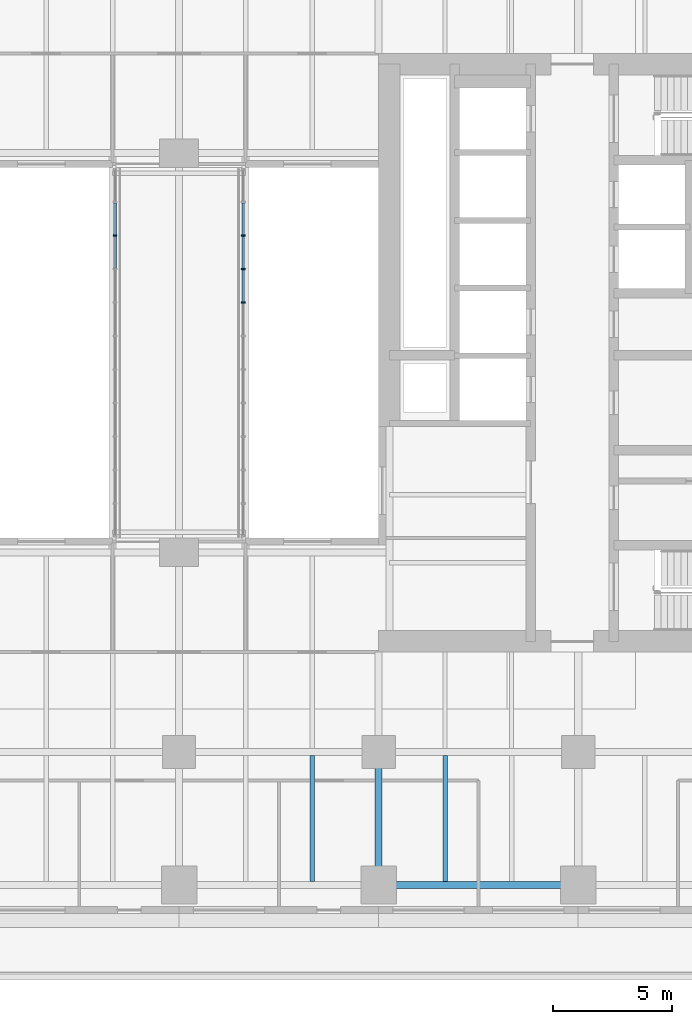
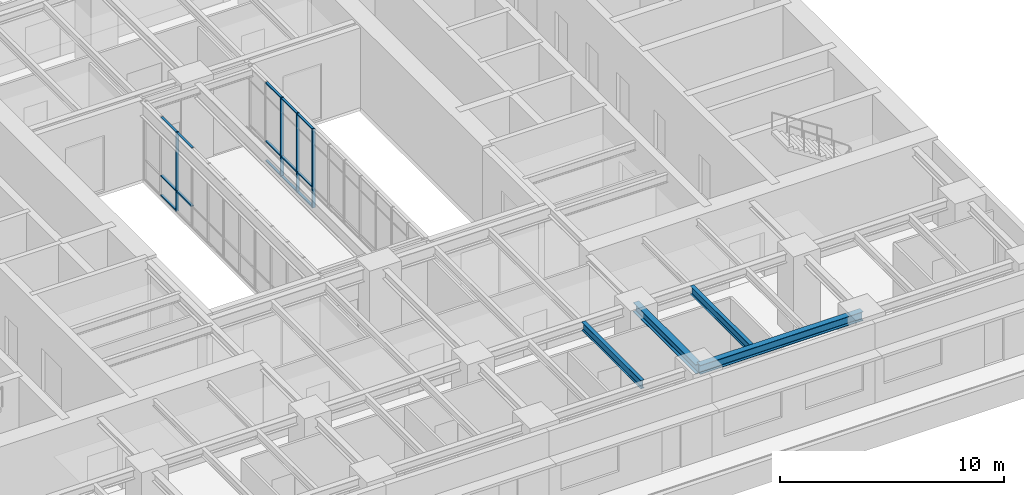
# One storey, part 3 of 17: 18 members, 4 beams, 2 elements without a shape of their own.
"""IFC4 building model written with IfcOpenShell, lengths in metres."""

from ifc_helpers import new_model, si_unit, direction, frame, origin, origin_2d, place, context, subcontext, project, spatial, rectangle, i_section, extrude, material, material_profile, profile_set, type_object, element, aggregate, save


model = new_model("IFC4")

# Units and contexts
model_context = context("Model", 3, precision=1e-05, world=origin(), true_north=direction((0.0, 1.0)))
body_context = subcontext(model_context, "Body", "Model", "MODEL_VIEW")
ifc_project = project(units=[si_unit("LENGTHUNIT", "METRE"), si_unit("AREAUNIT", "SQUARE_METRE"), si_unit("VOLUMEUNIT", "CUBIC_METRE"), si_unit("PLANEANGLEUNIT", "RADIAN"), si_unit("MASSUNIT", "GRAM", prefix="KILO")], contexts=[model_context])

# Site, building, storey
site_placement = place(None, origin())
site = spatial("IfcSite", under=ifc_project, at=site_placement, CompositionType="ELEMENT")
building_placement = place(site_placement, origin())
building = spatial("IfcBuilding", under=site, at=building_placement, Name="Claustro Exchange Tower", CompositionType="ELEMENT")
storey_placement = place(building_placement, frame((0.0, 0.0, 96.300048828125)))
storey = spatial("IfcBuildingStorey", under=building, at=storey_placement, Name="L21", CompositionType="ELEMENT", Elevation=96.300048828125)

# Beams
ifc_material_1 = material(Name="Steel S355", Category="steel")
ifc_material_profile_1 = material_profile(ifc_material_1, i_section(OverallWidth=0.300048828125, OverallDepth=0.5, WebThickness=0.014404296875, FlangeThickness=0.028076171875, FilletRadius=0.027099609375, at=origin_2d()), Name="HE 500 B")
ifc_profile_set_1 = profile_set([ifc_material_profile_1], Name="Steel S355")
beam_type_1 = type_object("IfcBeamType", Name="B7 HE 500 B floor girder", PredefinedType="BEAM", material=ifc_profile_set_1)
beam_1_placement = place(storey_placement, frame((33.60009765625, 2.800048828125, 4.099853515625), z_axis=(0.0, 1.0, 0.0), x_axis=(-1.0, 0.0, 0.0)))
element("IfcBeam", 1, at=beam_1_placement, inside=storey, type_object=beam_type_1, Name="Beam B7 L22", PredefinedType="BEAM", context=body_context, shape_type="SweptSolid", body=[
    extrude(i_section(OverallWidth=0.300048828125, OverallDepth=0.5, WebThickness=0.014404296875, FlangeThickness=0.028076171875, FilletRadius=0.027099609375, at=origin_2d()), origin(), (0.0, 0.0, 1.0), 5.599853515625),
])
ifc_material_2 = material(Name="Steel S355", Category="steel")
ifc_material_profile_2 = material_profile(ifc_material_2, i_section(OverallWidth=0.18994140625, OverallDepth=0.449951171875, WebThickness=0.009521484375, FlangeThickness=0.0146484375, FilletRadius=0.02099609375, at=origin_2d()), Name="IPE 450")
ifc_profile_set_2 = profile_set([ifc_material_profile_2], Name="Steel S355")
beam_type_2 = type_object("IfcBeamType", Name="B8 IPE 450 secondary beam", PredefinedType="BEAM", material=ifc_profile_set_2)
for number, where, z_axis, x_axis, name in (
    (2, (30.800048828125, 2.949951171875, 4.125), (0.0, 1.0, 0.0), (-1.0, 0.0, 0.0), "Beam B8 L22"),
    (3, (36.39990234375, 2.949951171875, 4.125), (0.0, 1.0, 0.0), (-1.0, 0.0, 0.0), "Beam B8 L22"),
):
    element("IfcBeam", number, at=place(storey_placement, frame(where, z_axis=z_axis, x_axis=x_axis)), inside=storey, type_object=beam_type_2, Name=name, PredefinedType="BEAM", context=body_context, shape_type="SweptSolid", body=[
        extrude(i_section(OverallWidth=0.18994140625, OverallDepth=0.449951171875, WebThickness=0.009521484375, FlangeThickness=0.0146484375, FilletRadius=0.02099609375, at=origin_2d()), origin(), (0.0, 0.0, 1.0), 5.300048828125),
    ])
ifc_material_3 = material(Name="Steel S355", Category="steel")
ifc_material_profile_3 = material_profile(ifc_material_3, i_section(OverallWidth=0.300048828125, OverallDepth=0.489990234375, WebThickness=0.011962890625, FlangeThickness=0.02294921875, FilletRadius=0.027099609375, at=origin_2d()), Name="HE 500 A")
ifc_profile_set_3 = profile_set([ifc_material_profile_3], Name="Steel S355")
beam_type_3 = type_object("IfcBeamType", Name="B9 HE 500 A spandrel edge girder", PredefinedType="SPANDREL", material=ifc_profile_set_3)
beam_2_placement = place(storey_placement, frame((33.60009765625, 2.800048828125, 4.10498046875), z_axis=(1.0, 0.0, 0.0), x_axis=(0.0, 1.0, 0.0)))
element("IfcBeam", 4, at=beam_2_placement, inside=storey, type_object=beam_type_3, Name="Beam B9 L22", PredefinedType="SPANDREL", context=body_context, shape_type="SweptSolid", body=[
    extrude(i_section(OverallWidth=0.300048828125, OverallDepth=0.489990234375, WebThickness=0.011962890625, FlangeThickness=0.02294921875, FilletRadius=0.027099609375, at=origin_2d()), origin(), (0.0, 0.0, 1.0), 8.39990234375),
])

# Curtain wall, member
ifc_material_4 = material(Name="Aluminium frame, clear double glazing", Category="aluminium")
curtain_wall_type = type_object("IfcCurtainWallType", Name="CW2 sky bridge curtain wall", PredefinedType="USERDEFINED", material=ifc_material_4)
curtain_wall_1_placement = place(storey_placement, origin())
curtain_wall_1 = element("IfcCurtainWall", 5, at=curtain_wall_1_placement, inside=storey, type_object=curtain_wall_type, Name="Curtain wall CW2 L21", ObjectType="STICK CURTAIN WALL", PredefinedType="USERDEFINED")
ifc_material_5 = material(Name="Aluminium mullion", Category="aluminium")
ifc_material_profile_4 = material_profile(ifc_material_5, rectangle(XDim=0.159912109375, YDim=0.06005859375, at=origin_2d()), Name="CW2-M 60x160")
ifc_profile_set_4 = profile_set([ifc_material_profile_4], Name="Aluminium mullion")
member_type_1 = type_object("IfcMemberType", Name="CW2-M 60 x 160 mullion", PredefinedType="MULLION", material=ifc_profile_set_4)
member_1_placement = place(storey_placement, frame((22.5, 30.1318359375, 0.0), z_axis=(0.0, 0.0, 1.0), x_axis=(-1.0, 0.0, 0.0)))
member_1 = element("IfcMember", 6, at=member_1_placement, type_object=member_type_1, Name="CW2 mullion 10", PredefinedType="MULLION", context=body_context, shape_type="SweptSolid", body=[
    extrude(rectangle(XDim=0.159912109375, YDim=0.06005859375, at=origin_2d()), origin(), (0.0, 0.0, 1.0), 4.300048828125),
])

# Curtain wall, members
curtain_wall_2_placement = place(storey_placement, origin())
curtain_wall_2 = element("IfcCurtainWall", 7, at=curtain_wall_2_placement, inside=storey, type_object=curtain_wall_type, Name="Curtain wall CW2 L21", ObjectType="STICK CURTAIN WALL", PredefinedType="USERDEFINED")
member_2_placement = place(storey_placement, frame((27.89990234375, 27.313720703125, 0.0), z_axis=(0.0, 0.0, 1.0), x_axis=(-1.0, 0.0, 0.0)))
member_2 = element("IfcMember", 8, at=member_2_placement, type_object=member_type_1, Name="CW2 mullion 8", PredefinedType="MULLION", context=body_context, shape_type="SweptSolid", body=[
    extrude(rectangle(XDim=0.159912109375, YDim=0.06005859375, at=origin_2d()), origin(), (0.0, 0.0, 1.0), 4.300048828125),
])
member_3_placement = place(storey_placement, frame((27.89990234375, 28.72265625, 0.0), z_axis=(0.0, 0.0, 1.0), x_axis=(-1.0, 0.0, 0.0)))
member_3 = element("IfcMember", 9, at=member_3_placement, type_object=member_type_1, Name="CW2 mullion 9", PredefinedType="MULLION", context=body_context, shape_type="SweptSolid", body=[
    extrude(rectangle(XDim=0.159912109375, YDim=0.06005859375, at=origin_2d()), origin(), (0.0, 0.0, 1.0), 4.300048828125),
])
member_4_placement = place(storey_placement, frame((27.89990234375, 30.1318359375, 0.0), z_axis=(0.0, 0.0, 1.0), x_axis=(-1.0, 0.0, 0.0)))
member_4 = element("IfcMember", 10, at=member_4_placement, type_object=member_type_1, Name="CW2 mullion 10", PredefinedType="MULLION", context=body_context, shape_type="SweptSolid", body=[
    extrude(rectangle(XDim=0.159912109375, YDim=0.06005859375, at=origin_2d()), origin(), (0.0, 0.0, 1.0), 4.300048828125),
])

# Member
ifc_material_6 = material(Name="Aluminium transom", Category="aluminium")
ifc_material_profile_5 = material_profile(ifc_material_6, rectangle(XDim=0.1201171875, YDim=0.06005859375, at=origin_2d()), Name="CW2-T 60x120")
ifc_profile_set_5 = profile_set([ifc_material_profile_5], Name="Aluminium transom")
member_type_2 = type_object("IfcMemberType", Name="CW2-T 60 x 120 transom", PredefinedType="USERDEFINED", material=ifc_profile_set_5)
member_5_placement = place(storey_placement, frame((22.5, 28.752685546875, 1.099853515625), z_axis=(0.0, 1.0, 0.0), x_axis=(-1.0, 0.0, 0.0)))
member_5 = element("IfcMember", 11, at=member_5_placement, type_object=member_type_2, Name="CW2 transom 9.2", ObjectType="TRANSOM", PredefinedType="USERDEFINED", context=body_context, shape_type="SweptSolid", body=[
    extrude(rectangle(XDim=0.1201171875, YDim=0.06005859375, at=origin_2d()), origin(), (0.0, 0.0, 1.0), 1.34912109375),
])

member_6_placement = place(storey_placement, frame((22.5, 28.752685546875, 4.27001953125), z_axis=(0.0, 1.0, 0.0), x_axis=(-1.0, 0.0, 0.0)))
member_6 = element("IfcMember", 12, at=member_6_placement, type_object=member_type_2, Name="CW2 transom 9.3", ObjectType="TRANSOM", PredefinedType="USERDEFINED", context=body_context, shape_type="SweptSolid", body=[
    extrude(rectangle(XDim=0.1201171875, YDim=0.06005859375, at=origin_2d()), origin(), (0.0, 0.0, 1.0), 1.34912109375),
])

member_7_placement = place(storey_placement, frame((22.5, 30.161865234375, 0.030029296875), z_axis=(0.0, 1.0, 0.0), x_axis=(-1.0, 0.0, 0.0)))
member_7 = element("IfcMember", 13, at=member_7_placement, type_object=member_type_2, Name="CW2 transom 10.1", ObjectType="TRANSOM", PredefinedType="USERDEFINED", context=body_context, shape_type="SweptSolid", body=[
    extrude(rectangle(XDim=0.1201171875, YDim=0.06005859375, at=origin_2d()), origin(), (0.0, 0.0, 1.0), 1.34912109375),
])

member_8_placement = place(storey_placement, frame((22.5, 30.161865234375, 1.099853515625), z_axis=(0.0, 1.0, 0.0), x_axis=(-1.0, 0.0, 0.0)))
member_8 = element("IfcMember", 14, at=member_8_placement, type_object=member_type_2, Name="CW2 transom 10.2", ObjectType="TRANSOM", PredefinedType="USERDEFINED", context=body_context, shape_type="SweptSolid", body=[
    extrude(rectangle(XDim=0.1201171875, YDim=0.06005859375, at=origin_2d()), origin(), (0.0, 0.0, 1.0), 1.34912109375),
])

member_9_placement = place(storey_placement, frame((22.5, 30.161865234375, 4.27001953125), z_axis=(0.0, 1.0, 0.0), x_axis=(-1.0, 0.0, 0.0)))
member_9 = element("IfcMember", 15, at=member_9_placement, type_object=member_type_2, Name="CW2 transom 10.3", ObjectType="TRANSOM", PredefinedType="USERDEFINED", context=body_context, shape_type="SweptSolid", body=[
    extrude(rectangle(XDim=0.1201171875, YDim=0.06005859375, at=origin_2d()), origin(), (0.0, 0.0, 1.0), 1.34912109375),
])

aggregate(curtain_wall_1, [member_1, member_5, member_6, member_7, member_8, member_9])

member_10_placement = place(storey_placement, frame((27.89990234375, 27.34375, 0.030029296875), z_axis=(0.0, 1.0, 0.0), x_axis=(-1.0, 0.0, 0.0)))
member_10 = element("IfcMember", 16, at=member_10_placement, type_object=member_type_2, Name="CW2 transom 8.1", ObjectType="TRANSOM", PredefinedType="USERDEFINED", context=body_context, shape_type="SweptSolid", body=[
    extrude(rectangle(XDim=0.1201171875, YDim=0.06005859375, at=origin_2d()), origin(), (0.0, 0.0, 1.0), 1.348876953125),
])

member_11_placement = place(storey_placement, frame((27.89990234375, 27.34375, 1.099853515625), z_axis=(0.0, 1.0, 0.0), x_axis=(-1.0, 0.0, 0.0)))
member_11 = element("IfcMember", 17, at=member_11_placement, type_object=member_type_2, Name="CW2 transom 8.2", ObjectType="TRANSOM", PredefinedType="USERDEFINED", context=body_context, shape_type="SweptSolid", body=[
    extrude(rectangle(XDim=0.1201171875, YDim=0.06005859375, at=origin_2d()), origin(), (0.0, 0.0, 1.0), 1.348876953125),
])

member_12_placement = place(storey_placement, frame((27.89990234375, 27.34375, 4.27001953125), z_axis=(0.0, 1.0, 0.0), x_axis=(-1.0, 0.0, 0.0)))
member_12 = element("IfcMember", 18, at=member_12_placement, type_object=member_type_2, Name="CW2 transom 8.3", ObjectType="TRANSOM", PredefinedType="USERDEFINED", context=body_context, shape_type="SweptSolid", body=[
    extrude(rectangle(XDim=0.1201171875, YDim=0.06005859375, at=origin_2d()), origin(), (0.0, 0.0, 1.0), 1.348876953125),
])

member_13_placement = place(storey_placement, frame((27.89990234375, 28.752685546875, 0.030029296875), z_axis=(0.0, 1.0, 0.0), x_axis=(-1.0, 0.0, 0.0)))
member_13 = element("IfcMember", 19, at=member_13_placement, type_object=member_type_2, Name="CW2 transom 9.1", ObjectType="TRANSOM", PredefinedType="USERDEFINED", context=body_context, shape_type="SweptSolid", body=[
    extrude(rectangle(XDim=0.1201171875, YDim=0.06005859375, at=origin_2d()), origin(), (0.0, 0.0, 1.0), 1.34912109375),
])

member_14_placement = place(storey_placement, frame((27.89990234375, 28.752685546875, 1.099853515625), z_axis=(0.0, 1.0, 0.0), x_axis=(-1.0, 0.0, 0.0)))
member_14 = element("IfcMember", 20, at=member_14_placement, type_object=member_type_2, Name="CW2 transom 9.2", ObjectType="TRANSOM", PredefinedType="USERDEFINED", context=body_context, shape_type="SweptSolid", body=[
    extrude(rectangle(XDim=0.1201171875, YDim=0.06005859375, at=origin_2d()), origin(), (0.0, 0.0, 1.0), 1.34912109375),
])

member_15_placement = place(storey_placement, frame((27.89990234375, 28.752685546875, 4.27001953125), z_axis=(0.0, 1.0, 0.0), x_axis=(-1.0, 0.0, 0.0)))
member_15 = element("IfcMember", 21, at=member_15_placement, type_object=member_type_2, Name="CW2 transom 9.3", ObjectType="TRANSOM", PredefinedType="USERDEFINED", context=body_context, shape_type="SweptSolid", body=[
    extrude(rectangle(XDim=0.1201171875, YDim=0.06005859375, at=origin_2d()), origin(), (0.0, 0.0, 1.0), 1.34912109375),
])

member_16_placement = place(storey_placement, frame((27.89990234375, 30.161865234375, 0.030029296875), z_axis=(0.0, 1.0, 0.0), x_axis=(-1.0, 0.0, 0.0)))
member_16 = element("IfcMember", 22, at=member_16_placement, type_object=member_type_2, Name="CW2 transom 10.1", ObjectType="TRANSOM", PredefinedType="USERDEFINED", context=body_context, shape_type="SweptSolid", body=[
    extrude(rectangle(XDim=0.1201171875, YDim=0.06005859375, at=origin_2d()), origin(), (0.0, 0.0, 1.0), 1.34912109375),
])

member_17_placement = place(storey_placement, frame((27.89990234375, 30.161865234375, 1.099853515625), z_axis=(0.0, 1.0, 0.0), x_axis=(-1.0, 0.0, 0.0)))
member_17 = element("IfcMember", 23, at=member_17_placement, type_object=member_type_2, Name="CW2 transom 10.2", ObjectType="TRANSOM", PredefinedType="USERDEFINED", context=body_context, shape_type="SweptSolid", body=[
    extrude(rectangle(XDim=0.1201171875, YDim=0.06005859375, at=origin_2d()), origin(), (0.0, 0.0, 1.0), 1.34912109375),
])

member_18_placement = place(storey_placement, frame((27.89990234375, 30.161865234375, 4.27001953125), z_axis=(0.0, 1.0, 0.0), x_axis=(-1.0, 0.0, 0.0)))
member_18 = element("IfcMember", 24, at=member_18_placement, type_object=member_type_2, Name="CW2 transom 10.3", ObjectType="TRANSOM", PredefinedType="USERDEFINED", context=body_context, shape_type="SweptSolid", body=[
    extrude(rectangle(XDim=0.1201171875, YDim=0.06005859375, at=origin_2d()), origin(), (0.0, 0.0, 1.0), 1.34912109375),
])

aggregate(curtain_wall_2, [member_2, member_3, member_4, member_10, member_11, member_12, member_13, member_14, member_15, member_16, member_17, member_18])

save(model, "model.ifc")
